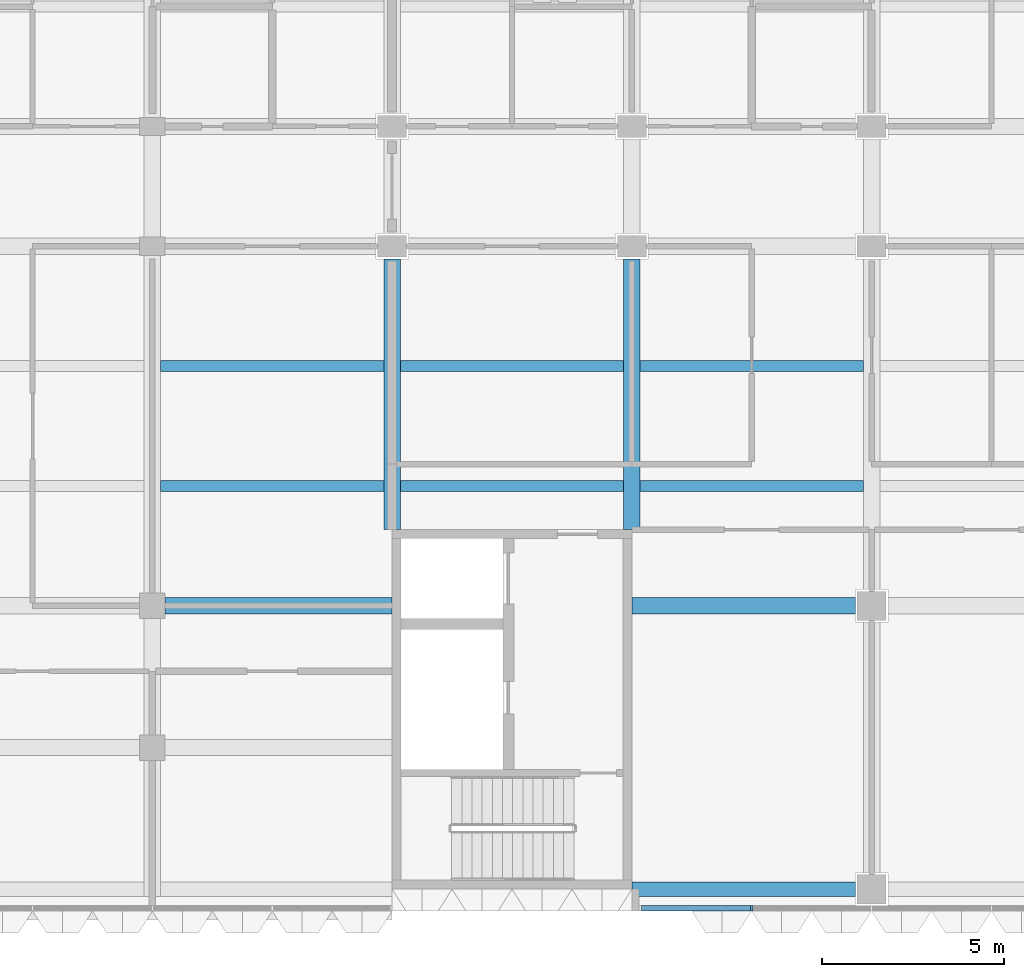
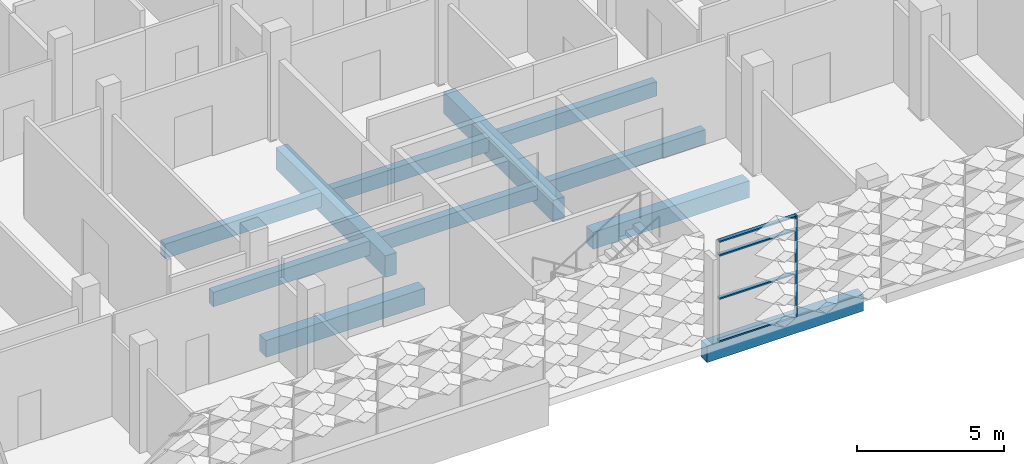
# One storey, part 7 of 85: 11 beams, 5 members, 1 element without a shape of its own.
"""IFC4 building model written with IfcOpenShell, lengths in metres."""

from ifc_helpers import new_model, si_unit, direction, frame, origin, origin_2d, place, context, subcontext, project, spatial, rectangle, extrude, material, material_profile, profile_set, type_object, element, aggregate, save


model = new_model("IFC4")

# Units and contexts
model_context = context("Model", 3, precision=1e-05, world=origin(), true_north=direction((0.0, 1.0)))
body_context = subcontext(model_context, "Body", "Model", "MODEL_VIEW")
ifc_project = project(units=[si_unit("LENGTHUNIT", "METRE"), si_unit("AREAUNIT", "SQUARE_METRE"), si_unit("VOLUMEUNIT", "CUBIC_METRE"), si_unit("PLANEANGLEUNIT", "RADIAN"), si_unit("MASSUNIT", "GRAM", prefix="KILO")], contexts=[model_context])

# Site, building, storey
site_placement = place(None, origin())
site = spatial("IfcSite", under=ifc_project, at=site_placement, CompositionType="ELEMENT")
building_placement = place(site_placement, origin())
building = spatial("IfcBuilding", under=site, at=building_placement, Name="Lantern Court Research Institute", CompositionType="ELEMENT")
storey_placement = place(building_placement, frame((0.0, 0.0, 18.89990234375)))
storey = spatial("IfcBuildingStorey", under=building, at=storey_placement, Name="L04", CompositionType="ELEMENT", Elevation=18.89990234375)

# Curtain wall, member
ifc_material_1 = material(Name="Aluminium alloy 6063-T6", Category="aluminium")
curtain_wall_type = type_object("IfcCurtainWallType", Name="Curtain wall 20200 x 4200 x 150 aluminium frame", PredefinedType="NOTDEFINED", material=ifc_material_1)
curtain_wall_placement = place(storey_placement, origin())
curtain_wall = element("IfcCurtainWall", 1, at=curtain_wall_placement, inside=storey, type_object=curtain_wall_type, Name="Curtain wall CW067", PredefinedType="NOTDEFINED")
ifc_material_2 = material(Name="Aluminium alloy 6063-T6", Category="aluminium")
ifc_material_profile_1 = material_profile(ifc_material_2, rectangle(XDim=0.14990234375, YDim=0.06005859375, at=origin_2d()), Name="Mullion 150 x 60")
ifc_profile_set_1 = profile_set([ifc_material_profile_1], Name="Aluminium alloy 6063-T6")
member_type_1 = type_object("IfcMemberType", Name="Mullion 150 x 60 aluminium", PredefinedType="MULLION", material=ifc_profile_set_1)
member_1_placement = place(storey_placement, frame((62.699951171875, -8.324951171875, 0.0), z_axis=(0.0, 0.0, 1.0), x_axis=(0.0, -1.0, 0.0)))
member_1 = element("IfcMember", 2, at=member_1_placement, type_object=member_type_1, Name="CW067 mullion 2", PredefinedType="MULLION", context=body_context, shape_type="SweptSolid", body=[
    extrude(rectangle(XDim=0.14990234375, YDim=0.06005859375, at=origin_2d()), origin(), (0.0, 0.0, 1.0), 4.2001953125),
])

# Beams
ifc_material_3 = material(Name="Concrete C40/50", Category="concrete")
ifc_material_profile_2 = material_profile(ifc_material_3, rectangle(XDim=0.449951171875, YDim=0.699951171875, at=origin_2d()), Name="RC beam 450 x 700")
ifc_profile_set_2 = profile_set([ifc_material_profile_2], Name="Concrete C40/50")
beam_type_1 = type_object("IfcBeamType", Name="RC beam 450 x 700", PredefinedType="BEAM", material=ifc_profile_set_2)
beam_1_placement = place(storey_placement, frame((46.550048828125, 0.0, -0.64990234375), z_axis=(1.0, 0.0, 0.0), x_axis=(0.0, 1.0, 0.0)))
element("IfcBeam", 3, at=beam_1_placement, inside=storey, type_object=beam_type_1, Name="Beam L04 grid A/8-9", PredefinedType="BEAM", context=body_context, shape_type="SweptSolid", body=[
    extrude(rectangle(XDim=0.449951171875, YDim=0.699951171875, at=origin_2d()), origin(), (0.0, 0.0, 1.0), 6.25),
])
beam_2_placement = place(storey_placement, frame((59.39990234375, 0.0, -0.64990234375), z_axis=(1.0, 0.0, 0.0), x_axis=(0.0, 1.0, 0.0)))
element("IfcBeam", 4, at=beam_2_placement, inside=storey, type_object=beam_type_1, Name="Beam L04 grid A/10-11", PredefinedType="BEAM", context=body_context, shape_type="SweptSolid", body=[
    extrude(rectangle(XDim=0.449951171875, YDim=0.699951171875, at=origin_2d()), origin(), (0.0, 0.0, 1.0), 6.150146484375),
])
ifc_material_4 = material(Name="Concrete C40/50", Category="concrete")
ifc_material_profile_3 = material_profile(ifc_material_4, rectangle(XDim=0.39990234375, YDim=0.699951171875, at=origin_2d()), Name="RC beam 400 x 700")
ifc_profile_set_3 = profile_set([ifc_material_profile_3], Name="Concrete C40/50")
beam_type_2 = type_object("IfcBeamType", Name="RC edge beam 400 x 700", PredefinedType="BEAM", material=ifc_profile_set_3)
beam_3_placement = place(storey_placement, frame((59.39990234375, -7.800048828125, -0.64990234375), z_axis=(1.0, 0.0, 0.0), x_axis=(0.0, 1.0, 0.0)))
element("IfcBeam", 5, at=beam_3_placement, inside=storey, type_object=beam_type_2, Name="Edge beam L04 grid Z/10-11", PredefinedType="BEAM", context=body_context, shape_type="SweptSolid", body=[
    extrude(rectangle(XDim=0.39990234375, YDim=0.699951171875, at=origin_2d()), origin(), (0.0, 0.0, 1.0), 6.150146484375),
])
ifc_material_5 = material(Name="Concrete C40/50", Category="concrete")
ifc_material_profile_4 = material_profile(ifc_material_5, rectangle(XDim=0.449951171875, YDim=0.89990234375, at=origin_2d()), Name="RC beam 450 x 900")
ifc_profile_set_4 = profile_set([ifc_material_profile_4], Name="Concrete C40/50")
beam_type_3 = type_object("IfcBeamType", Name="RC girder 450 x 900", PredefinedType="BEAM", material=ifc_profile_set_4)
for number, where, z_axis, x_axis, name in (
    (6, (52.800048828125, 2.10009765625, -0.75), (0.0, 1.0, 0.0), (-1.0, 0.0, 0.0), "Girder L04 grid 9/A-B"),
    (7, (59.39990234375, 2.10009765625, -0.75), (0.0, 1.0, 0.0), (-1.0, 0.0, 0.0), "Girder L04 grid 10/A-B"),
):
    element("IfcBeam", number, at=place(storey_placement, frame(where, z_axis=z_axis, x_axis=x_axis)), inside=storey, type_object=beam_type_3, Name=name, PredefinedType="BEAM", context=body_context, shape_type="SweptSolid", body=[
        extrude(rectangle(XDim=0.449951171875, YDim=0.89990234375, at=origin_2d()), origin(), (0.0, 0.0, 1.0), 7.449951171875),
    ])
ifc_material_6 = material(Name="Concrete C40/50", Category="concrete")
ifc_material_profile_5 = material_profile(ifc_material_6, rectangle(XDim=0.300048828125, YDim=0.60009765625, at=origin_2d()), Name="RC beam 300 x 600")
ifc_profile_set_5 = profile_set([ifc_material_profile_5], Name="Concrete C40/50")
beam_type_4 = type_object("IfcBeamType", Name="RC secondary beam 300 x 600", PredefinedType="BEAM", material=ifc_profile_set_5)
for number, where, z_axis, x_axis, name in (
    (8, (46.425048828125, 3.300048828125, -0.599853515625), (1.0, 0.0, 0.0), (0.0, 1.0, 0.0), "Secondary beam L04 grids 8-9 / A-B, line 1"),
    (9, (46.425048828125, 6.60009765625, -0.599853515625), (1.0, 0.0, 0.0), (0.0, 1.0, 0.0), "Secondary beam L04 grids 8-9 / A-B, line 2"),
):
    element("IfcBeam", number, at=place(storey_placement, frame(where, z_axis=z_axis, x_axis=x_axis)), inside=storey, type_object=beam_type_4, Name=name, PredefinedType="BEAM", context=body_context, shape_type="SweptSolid", body=[
        extrude(rectangle(XDim=0.300048828125, YDim=0.60009765625, at=origin_2d()), origin(), (0.0, 0.0, 1.0), 6.14990234375),
    ])
beam_4_placement = place(storey_placement, frame((53.02490234375, 3.300048828125, -0.599853515625), z_axis=(1.0, 0.0, 0.0), x_axis=(0.0, 1.0, 0.0)))
element("IfcBeam", 10, at=beam_4_placement, inside=storey, type_object=beam_type_4, Name="Secondary beam L04 grids 9-10 / A-B, line 1", PredefinedType="BEAM", context=body_context, shape_type="SweptSolid", body=[
    extrude(rectangle(XDim=0.300048828125, YDim=0.60009765625, at=origin_2d()), origin(), (0.0, 0.0, 1.0), 6.150146484375),
])
beam_5_placement = place(storey_placement, frame((59.625, 3.300048828125, -0.599853515625), z_axis=(1.0, 0.0, 0.0), x_axis=(0.0, 1.0, 0.0)))
element("IfcBeam", 11, at=beam_5_placement, inside=storey, type_object=beam_type_4, Name="Secondary beam L04 grids 10-11 / A-B, line 1", PredefinedType="BEAM", context=body_context, shape_type="SweptSolid", body=[
    extrude(rectangle(XDim=0.300048828125, YDim=0.60009765625, at=origin_2d()), origin(), (0.0, 0.0, 1.0), 6.14990234375),
])
beam_6_placement = place(storey_placement, frame((53.02490234375, 6.60009765625, -0.599853515625), z_axis=(1.0, 0.0, 0.0), x_axis=(0.0, 1.0, 0.0)))
element("IfcBeam", 12, at=beam_6_placement, inside=storey, type_object=beam_type_4, Name="Secondary beam L04 grids 9-10 / A-B, line 2", PredefinedType="BEAM", context=body_context, shape_type="SweptSolid", body=[
    extrude(rectangle(XDim=0.300048828125, YDim=0.60009765625, at=origin_2d()), origin(), (0.0, 0.0, 1.0), 6.150146484375),
])
beam_7_placement = place(storey_placement, frame((59.625, 6.60009765625, -0.599853515625), z_axis=(1.0, 0.0, 0.0), x_axis=(0.0, 1.0, 0.0)))
element("IfcBeam", 13, at=beam_7_placement, inside=storey, type_object=beam_type_4, Name="Secondary beam L04 grids 10-11 / A-B, line 2", PredefinedType="BEAM", context=body_context, shape_type="SweptSolid", body=[
    extrude(rectangle(XDim=0.300048828125, YDim=0.60009765625, at=origin_2d()), origin(), (0.0, 0.0, 1.0), 6.14990234375),
])

# Member
ifc_material_7 = material(Name="Aluminium alloy 6063-T6", Category="aluminium")
ifc_material_profile_6 = material_profile(ifc_material_7, rectangle(XDim=0.14990234375, YDim=0.06005859375, at=origin_2d()), Name="Transom 150 x 60")
ifc_profile_set_6 = profile_set([ifc_material_profile_6], Name="Aluminium alloy 6063-T6")
member_type_2 = type_object("IfcMemberType", Name="Transom 150 x 60 aluminium", PredefinedType="USERDEFINED", material=ifc_profile_set_6)
member_2_placement = place(storey_placement, frame((62.669921875, -8.324951171875, 0.030029296875), z_axis=(-1.0, 0.0, 0.0), x_axis=(0.0, -1.0, 0.0)))
member_2 = element("IfcMember", 14, at=member_2_placement, type_object=member_type_2, Name="CW067 transom 1.1", ObjectType="TRANSOM", PredefinedType="USERDEFINED", context=body_context, shape_type="SweptSolid", body=[
    extrude(rectangle(XDim=0.14990234375, YDim=0.06005859375, at=origin_2d()), origin(), (0.0, 0.0, 1.0), 3.010009765625),
])

member_3_placement = place(storey_placement, frame((62.669921875, -8.324951171875, 1.800048828125), z_axis=(-1.0, 0.0, 0.0), x_axis=(0.0, -1.0, 0.0)))
member_3 = element("IfcMember", 15, at=member_3_placement, type_object=member_type_2, Name="CW067 transom 1.2", ObjectType="TRANSOM", PredefinedType="USERDEFINED", context=body_context, shape_type="SweptSolid", body=[
    extrude(rectangle(XDim=0.14990234375, YDim=0.06005859375, at=origin_2d()), origin(), (0.0, 0.0, 1.0), 3.010009765625),
])

member_4_placement = place(storey_placement, frame((62.669921875, -8.324951171875, 3.60009765625), z_axis=(-1.0, 0.0, 0.0), x_axis=(0.0, -1.0, 0.0)))
member_4 = element("IfcMember", 16, at=member_4_placement, type_object=member_type_2, Name="CW067 transom 1.3", ObjectType="TRANSOM", PredefinedType="USERDEFINED", context=body_context, shape_type="SweptSolid", body=[
    extrude(rectangle(XDim=0.14990234375, YDim=0.06005859375, at=origin_2d()), origin(), (0.0, 0.0, 1.0), 3.010009765625),
])

member_5_placement = place(storey_placement, frame((62.669921875, -8.324951171875, 4.170166015625), z_axis=(-1.0, 0.0, 0.0), x_axis=(0.0, -1.0, 0.0)))
member_5 = element("IfcMember", 17, at=member_5_placement, type_object=member_type_2, Name="CW067 transom 1.4", ObjectType="TRANSOM", PredefinedType="USERDEFINED", context=body_context, shape_type="SweptSolid", body=[
    extrude(rectangle(XDim=0.14990234375, YDim=0.06005859375, at=origin_2d()), origin(), (0.0, 0.0, 1.0), 3.010009765625),
])

aggregate(curtain_wall, [member_1, member_2, member_3, member_4, member_5])

save(model, "model.ifc")
